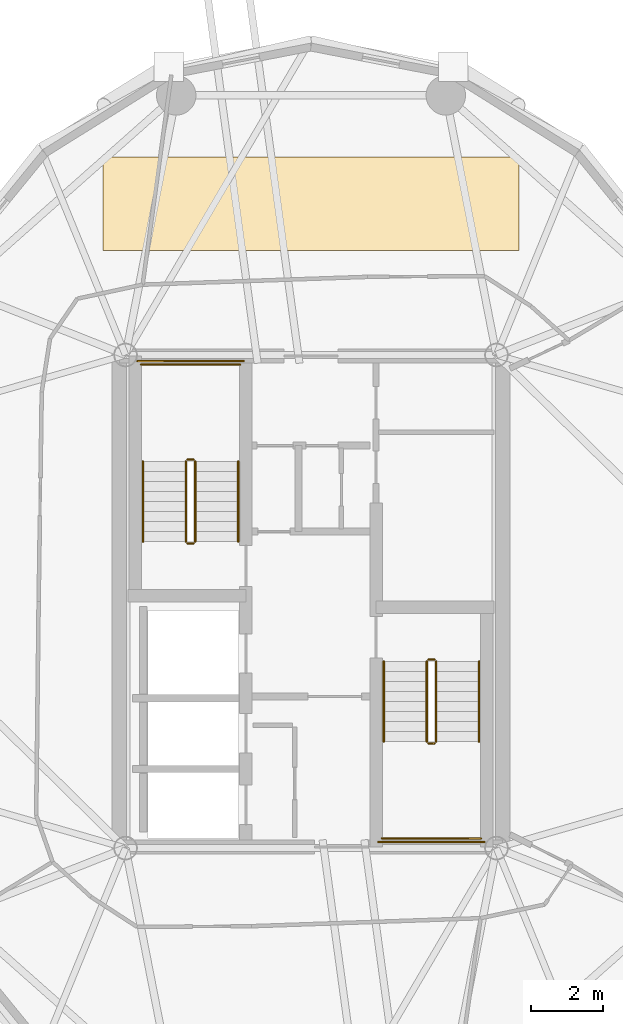
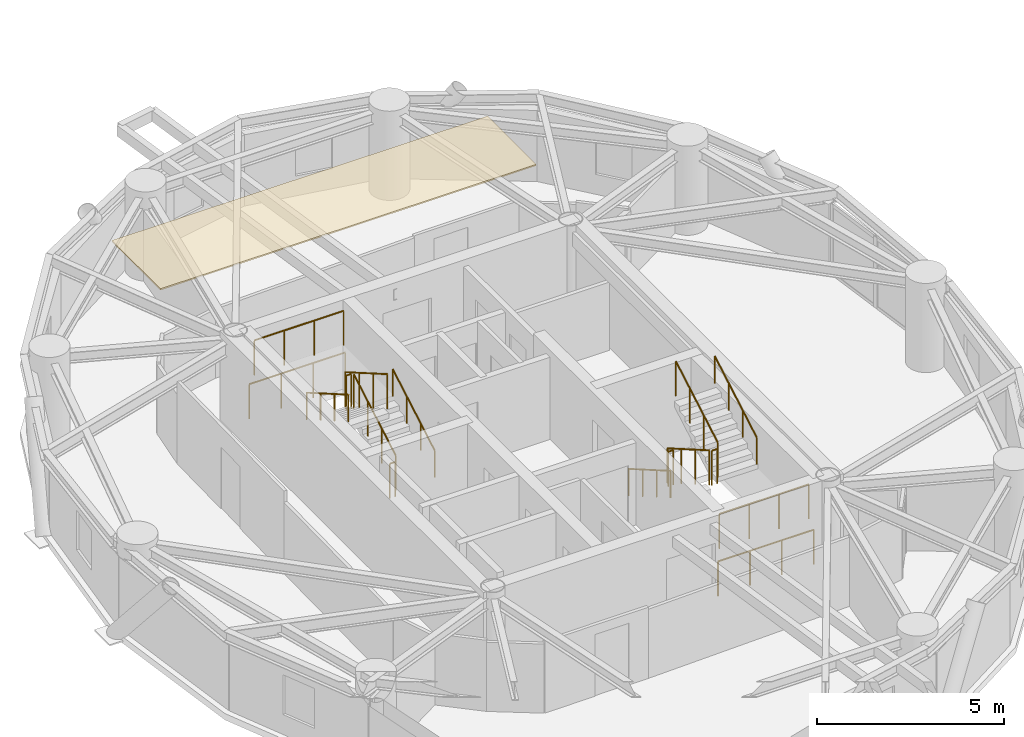
# One storey, part 13 of 14: 16 railings, 1 covering.
"""IFC4 building model written with IfcOpenShell, lengths in metres."""

from ifc_helpers import new_model, si_unit, direction, frame, origin, origin_2d, place, context, subcontext, project, spatial, polyline, circle, outline, extrude, material, layer, layer_set, type_object, element, save


model = new_model("IFC4")

# Units and contexts
model_context = context("Model", 3, precision=1e-05, world=origin(), true_north=direction((0.0, 1.0)))
body_context = subcontext(model_context, "Body", "Model", "MODEL_VIEW")
ifc_project = project(units=[si_unit("LENGTHUNIT", "METRE"), si_unit("AREAUNIT", "SQUARE_METRE"), si_unit("VOLUMEUNIT", "CUBIC_METRE"), si_unit("PLANEANGLEUNIT", "RADIAN"), si_unit("MASSUNIT", "GRAM", prefix="KILO")], contexts=[model_context])

# Site, building, storey
site_placement = place(None, origin())
site = spatial("IfcSite", under=ifc_project, at=site_placement, CompositionType="ELEMENT")
building_placement = place(site_placement, origin())
building = spatial("IfcBuilding", under=site, at=building_placement, Name="Cununo Teusaquillo Station Towers", CompositionType="ELEMENT")
storey_placement = place(building_placement, frame((0.0, 0.0, 202.47998046875)))
storey = spatial("IfcBuildingStorey", under=building, at=storey_placement, Name="L64", CompositionType="ELEMENT", Elevation=202.47998046875)

# Covering
ifc_material_1 = material(Name="Mineral-fibre acoustic suspended ceiling tile", Category="finish")
ifc_layer = layer(ifc_material_1, 0.044921875)
ifc_layer_set = layer_set([ifc_layer], Name="Mineral-fibre acoustic suspended ceiling tile")
covering_type = type_object("IfcCoveringType", Name="COV-CEIL-600", PredefinedType="CEILING", material=ifc_layer_set)
covering_placement = place(storey_placement, frame((0.0, 0.0, 2.655029296875)))
element("IfcCovering", 1, at=covering_placement, inside=storey, type_object=covering_type, Name="L64 Tower A Acoustic Ceiling", PredefinedType="CEILING", context=body_context, shape_type="SweptSolid", body=[
    extrude(outline(polyline([(22.300048828125, 36.89990234375), (22.300048828125, 34.300048828125), (10.699951171875, 34.300048828125), (10.699951171875, 36.89990234375), (22.300048828125, 36.89990234375)])), origin(), (0.0, 0.0, 1.0), 0.044921875),
])

# Railings
ifc_material_2 = material(Name="Steel EN 10025-2 S355J2", Category="steel")
railing_type_1 = type_object("IfcRailingType", Name="RL-INT-GUARD", PredefinedType="GUARDRAIL", material=ifc_material_2)
railing_1_placement = place(storey_placement, frame((13.27001953125, 26.169921875, 0.16162109375)))
element("IfcRailing", 2, at=railing_1_placement, inside=storey, type_object=railing_type_1, Name="L64 ST-T1-1 stair guard 1", PredefinedType="GUARDRAIL", context=body_context, shape_type="SweptSolid", body=[
    extrude(circle(Radius=0.02392578125, at=origin_2d()), frame((0.0, 0.0, 1.1259765625), z_axis=(0.0, 0.865992244559, 0.500057429065), x_axis=(-1.0, 0.0, 0.0)), (0.0, 0.0, 1.0), 2.586669921875),
    extrude(circle(Radius=0.02099609375, at=origin_2d()), origin(), (0.0, 0.0, 1.0), 1.101806640625),
    extrude(circle(Radius=0.02099609375, at=origin_2d()), frame((0.0, 0.74658203125, 0.43115234375)), (0.0, 0.0, 1.0), 1.101806640625),
    extrude(circle(Radius=0.02099609375, at=origin_2d()), frame((0.0, 1.493408203125, 0.8623046875)), (0.0, 0.0, 1.0), 1.101806640625),
    extrude(circle(Radius=0.02099609375, at=origin_2d()), frame((0.0, 2.239990234375, 1.29345703125)), (0.0, 0.0, 1.0), 1.101806640625),
])
railing_2_placement = place(storey_placement, frame((13.219970703125, 28.4599609375, 1.455078125)))
element("IfcRailing", 3, at=railing_2_placement, inside=storey, type_object=railing_type_1, Name="L64 ST-T1-1 stair guard 2", PredefinedType="GUARDRAIL", context=body_context, shape_type="SweptSolid", body=[
    extrude(circle(Radius=0.02392578125, at=origin_2d()), frame((0.0, 0.0, 1.1259765625), z_axis=(-1.0, 0.0, 0.0), x_axis=(0.0, -1.0, 0.0)), (0.0, 0.0, 1.0), 0.159912109375),
    extrude(circle(Radius=0.02099609375, at=origin_2d()), origin(), (0.0, 0.0, 1.0), 1.101806640625),
    extrude(circle(Radius=0.02099609375, at=origin_2d()), frame((-0.159912109375, 0.0, 0.0)), (0.0, 0.0, 1.0), 1.101806640625),
])
railing_3_placement = place(storey_placement, frame((14.52001953125, 31.110107421875, 1.455078125)))
element("IfcRailing", 4, at=railing_3_placement, inside=storey, type_object=railing_type_1, Name="L64 ST-T1-1 stair guard 3", PredefinedType="GUARDRAIL", context=body_context, shape_type="SweptSolid", body=[
    extrude(circle(Radius=0.02392578125, at=origin_2d()), frame((0.0, 0.0, 1.1259765625), z_axis=(-1.0, 0.0, 0.0), x_axis=(0.0, -1.0, 0.0)), (0.0, 0.0, 1.0), 2.760009765625),
    extrude(circle(Radius=0.02099609375, at=origin_2d()), origin(), (0.0, 0.0, 1.0), 1.101806640625),
    extrude(circle(Radius=0.02099609375, at=origin_2d()), frame((-0.919921875, 0.0, 0.0)), (0.0, 0.0, 1.0), 1.101806640625),
    extrude(circle(Radius=0.02099609375, at=origin_2d()), frame((-1.840087890625, 0.0, 0.0)), (0.0, 0.0, 1.0), 1.101806640625),
    extrude(circle(Radius=0.02099609375, at=origin_2d()), frame((-2.760009765625, 0.0, 0.0)), (0.0, 0.0, 1.0), 1.101806640625),
])
railing_4_placement = place(storey_placement, frame((13.010009765625, 28.409912109375, 1.61669921875)))
element("IfcRailing", 5, at=railing_4_placement, inside=storey, type_object=railing_type_1, Name="L64 ST-T1-1 stair guard 4", PredefinedType="GUARDRAIL", context=body_context, shape_type="SweptSolid", body=[
    extrude(circle(Radius=0.02392578125, at=origin_2d()), frame((0.0, 0.0, 1.1259765625), z_axis=(0.0, -0.866033117094, 0.499986639918), x_axis=(1.0, 0.0, 0.0)), (0.0, 0.0, 1.0), 2.58642578125),
    extrude(circle(Radius=0.02099609375, at=origin_2d()), origin(), (0.0, 0.0, 1.0), 1.101806640625),
    extrude(circle(Radius=0.02099609375, at=origin_2d()), frame((0.0, -0.74658203125, 0.43115234375)), (0.0, 0.0, 1.0), 1.101806640625),
    extrude(circle(Radius=0.02099609375, at=origin_2d()), frame((0.0, -1.493408203125, 0.862060546875)), (0.0, 0.0, 1.0), 1.101806640625),
    extrude(circle(Radius=0.02099609375, at=origin_2d()), frame((0.0, -2.239990234375, 1.293212890625)), (0.0, 0.0, 1.0), 1.101806640625),
])
railing_5_placement = place(storey_placement, frame((13.219970703125, 26.1201171875, 0.0)))
element("IfcRailing", 6, at=railing_5_placement, inside=storey, type_object=railing_type_1, Name="L64 ST-T1-1 stair guard 5", PredefinedType="GUARDRAIL", context=body_context, shape_type="SweptSolid", body=[
    extrude(circle(Radius=0.02392578125, at=origin_2d()), frame((0.0, 0.0, 1.1259765625), z_axis=(-1.0, 0.0, 0.0), x_axis=(0.0, -1.0, 0.0)), (0.0, 0.0, 1.0), 0.159912109375),
    extrude(circle(Radius=0.02099609375, at=origin_2d()), origin(), (0.0, 0.0, 1.0), 1.101806640625),
    extrude(circle(Radius=0.02099609375, at=origin_2d()), frame((-0.159912109375, 0.0, 0.0)), (0.0, 0.0, 1.0), 1.101806640625),
])
railing_6_placement = place(storey_placement, frame((14.6201171875, 31.2099609375, 0.0)))
element("IfcRailing", 7, at=railing_6_placement, inside=storey, type_object=railing_type_1, Name="L64 ST-T1-1 stair guard 6", PredefinedType="GUARDRAIL", context=body_context, shape_type="SweptSolid", body=[
    extrude(circle(Radius=0.02392578125, at=origin_2d()), frame((0.0, 0.0, 1.1259765625), z_axis=(-1.0, 0.0, 0.0), x_axis=(0.0, -1.0, 0.0)), (0.0, 0.0, 1.0), 2.960205078125),
    extrude(circle(Radius=0.02099609375, at=origin_2d()), origin(), (0.0, 0.0, 1.0), 1.101806640625),
    extrude(circle(Radius=0.02099609375, at=origin_2d()), frame((-0.98681640625, 0.0, 0.0)), (0.0, 0.0, 1.0), 1.101806640625),
    extrude(circle(Radius=0.02099609375, at=origin_2d()), frame((-1.973388671875, 0.0, 0.0)), (0.0, 0.0, 1.0), 1.101806640625),
    extrude(circle(Radius=0.02099609375, at=origin_2d()), frame((-2.960205078125, 0.0, 0.0)), (0.0, 0.0, 1.0), 1.101806640625),
])
railing_7_placement = place(storey_placement, frame((19.72998046875, 22.830078125, 0.16162109375)))
element("IfcRailing", 8, at=railing_7_placement, inside=storey, type_object=railing_type_1, Name="L64 ST-T1-2 stair guard 1", PredefinedType="GUARDRAIL", context=body_context, shape_type="SweptSolid", body=[
    extrude(circle(Radius=0.02392578125, at=origin_2d()), frame((0.0, 0.0, 1.1259765625), z_axis=(0.0, -0.865992244559, 0.500057429065), x_axis=(1.0, 0.0, 0.0)), (0.0, 0.0, 1.0), 2.586669921875),
    extrude(circle(Radius=0.02099609375, at=origin_2d()), origin(), (0.0, 0.0, 1.0), 1.101806640625),
    extrude(circle(Radius=0.02099609375, at=origin_2d()), frame((0.0, -0.74658203125, 0.43115234375)), (0.0, 0.0, 1.0), 1.101806640625),
    extrude(circle(Radius=0.02099609375, at=origin_2d()), frame((0.0, -1.493408203125, 0.8623046875)), (0.0, 0.0, 1.0), 1.101806640625),
    extrude(circle(Radius=0.02099609375, at=origin_2d()), frame((0.0, -2.239990234375, 1.29345703125)), (0.0, 0.0, 1.0), 1.101806640625),
])
railing_8_placement = place(storey_placement, frame((19.780029296875, 20.5400390625, 1.455078125)))
element("IfcRailing", 9, at=railing_8_placement, inside=storey, type_object=railing_type_1, Name="L64 ST-T1-2 stair guard 2", PredefinedType="GUARDRAIL", context=body_context, shape_type="SweptSolid", body=[
    extrude(circle(Radius=0.02392578125, at=origin_2d()), frame((0.0, 0.0, 1.1259765625), z_axis=(1.0, 0.0, 0.0), x_axis=(0.0, 1.0, 0.0)), (0.0, 0.0, 1.0), 0.159912109375),
    extrude(circle(Radius=0.02099609375, at=origin_2d()), origin(), (0.0, 0.0, 1.0), 1.101806640625),
    extrude(circle(Radius=0.02099609375, at=origin_2d()), frame((0.159912109375, 0.0, 0.0)), (0.0, 0.0, 1.0), 1.101806640625),
])
railing_9_placement = place(storey_placement, frame((18.47998046875, 17.889892578125, 1.455078125)))
element("IfcRailing", 10, at=railing_9_placement, inside=storey, type_object=railing_type_1, Name="L64 ST-T1-2 stair guard 3", PredefinedType="GUARDRAIL", context=body_context, shape_type="SweptSolid", body=[
    extrude(circle(Radius=0.02392578125, at=origin_2d()), frame((0.0, 0.0, 1.1259765625), z_axis=(1.0, 0.0, 0.0), x_axis=(0.0, 1.0, 0.0)), (0.0, 0.0, 1.0), 2.760009765625),
    extrude(circle(Radius=0.02099609375, at=origin_2d()), origin(), (0.0, 0.0, 1.0), 1.101806640625),
    extrude(circle(Radius=0.02099609375, at=origin_2d()), frame((0.919921875, 0.0, 0.0)), (0.0, 0.0, 1.0), 1.101806640625),
    extrude(circle(Radius=0.02099609375, at=origin_2d()), frame((1.840087890625, 0.0, 0.0)), (0.0, 0.0, 1.0), 1.101806640625),
    extrude(circle(Radius=0.02099609375, at=origin_2d()), frame((2.760009765625, 0.0, 0.0)), (0.0, 0.0, 1.0), 1.101806640625),
])
railing_10_placement = place(storey_placement, frame((19.989990234375, 20.590087890625, 1.61669921875)))
element("IfcRailing", 11, at=railing_10_placement, inside=storey, type_object=railing_type_1, Name="L64 ST-T1-2 stair guard 4", PredefinedType="GUARDRAIL", context=body_context, shape_type="SweptSolid", body=[
    extrude(circle(Radius=0.02392578125, at=origin_2d()), frame((0.0, 0.0, 1.1259765625), z_axis=(0.0, 0.866033117094, 0.499986639918), x_axis=(-1.0, 0.0, 0.0)), (0.0, 0.0, 1.0), 2.58642578125),
    extrude(circle(Radius=0.02099609375, at=origin_2d()), origin(), (0.0, 0.0, 1.0), 1.101806640625),
    extrude(circle(Radius=0.02099609375, at=origin_2d()), frame((0.0, 0.74658203125, 0.43115234375)), (0.0, 0.0, 1.0), 1.101806640625),
    extrude(circle(Radius=0.02099609375, at=origin_2d()), frame((0.0, 1.493408203125, 0.862060546875)), (0.0, 0.0, 1.0), 1.101806640625),
    extrude(circle(Radius=0.02099609375, at=origin_2d()), frame((0.0, 2.239990234375, 1.293212890625)), (0.0, 0.0, 1.0), 1.101806640625),
])
railing_11_placement = place(storey_placement, frame((19.780029296875, 22.8798828125, 0.0)))
element("IfcRailing", 12, at=railing_11_placement, inside=storey, type_object=railing_type_1, Name="L64 ST-T1-2 stair guard 5", PredefinedType="GUARDRAIL", context=body_context, shape_type="SweptSolid", body=[
    extrude(circle(Radius=0.02392578125, at=origin_2d()), frame((0.0, 0.0, 1.1259765625), z_axis=(1.0, 0.0, 0.0), x_axis=(0.0, 1.0, 0.0)), (0.0, 0.0, 1.0), 0.159912109375),
    extrude(circle(Radius=0.02099609375, at=origin_2d()), origin(), (0.0, 0.0, 1.0), 1.101806640625),
    extrude(circle(Radius=0.02099609375, at=origin_2d()), frame((0.159912109375, 0.0, 0.0)), (0.0, 0.0, 1.0), 1.101806640625),
])
railing_12_placement = place(storey_placement, frame((18.3798828125, 17.7900390625, 0.0)))
element("IfcRailing", 13, at=railing_12_placement, inside=storey, type_object=railing_type_1, Name="L64 ST-T1-2 stair guard 6", PredefinedType="GUARDRAIL", context=body_context, shape_type="SweptSolid", body=[
    extrude(circle(Radius=0.02392578125, at=origin_2d()), frame((0.0, 0.0, 1.1259765625), z_axis=(1.0, 0.0, 0.0), x_axis=(0.0, 1.0, 0.0)), (0.0, 0.0, 1.0), 2.960205078125),
    extrude(circle(Radius=0.02099609375, at=origin_2d()), origin(), (0.0, 0.0, 1.0), 1.101806640625),
    extrude(circle(Radius=0.02099609375, at=origin_2d()), frame((0.98681640625, 0.0, 0.0)), (0.0, 0.0, 1.0), 1.101806640625),
    extrude(circle(Radius=0.02099609375, at=origin_2d()), frame((1.973388671875, 0.0, 0.0)), (0.0, 0.0, 1.0), 1.101806640625),
    extrude(circle(Radius=0.02099609375, at=origin_2d()), frame((2.960205078125, 0.0, 0.0)), (0.0, 0.0, 1.0), 1.101806640625),
])
ifc_material_3 = material(Name="Steel EN 10025-2 S355J2", Category="steel")
railing_type_2 = type_object("IfcRailingType", Name="RL-INT-HRAIL", PredefinedType="HANDRAIL", material=ifc_material_3)
railing_13_placement = place(storey_placement, frame((14.469970703125, 26.169921875, 0.16162109375)))
element("IfcRailing", 14, at=railing_13_placement, inside=storey, type_object=railing_type_2, Name="L64 ST-T1-1 stair handrail 1", PredefinedType="HANDRAIL", context=body_context, shape_type="SweptSolid", body=[
    extrude(circle(Radius=0.02392578125, at=origin_2d()), frame((0.0, 0.0, 0.8759765625), z_axis=(0.0, 0.865992244559, 0.500057429065), x_axis=(-1.0, 0.0, 0.0)), (0.0, 0.0, 1.0), 2.586669921875),
    extrude(circle(Radius=0.02099609375, at=origin_2d()), origin(), (0.0, 0.0, 1.0), 0.851806640625),
    extrude(circle(Radius=0.02099609375, at=origin_2d()), frame((0.0, 0.74658203125, 0.43115234375)), (0.0, 0.0, 1.0), 0.851806640625),
    extrude(circle(Radius=0.02099609375, at=origin_2d()), frame((0.0, 1.493408203125, 0.8623046875)), (0.0, 0.0, 1.0), 0.851806640625),
    extrude(circle(Radius=0.02099609375, at=origin_2d()), frame((0.0, 2.239990234375, 1.29345703125)), (0.0, 0.0, 1.0), 0.851806640625),
])
railing_14_placement = place(storey_placement, frame((11.81005859375, 28.409912109375, 1.61669921875)))
element("IfcRailing", 15, at=railing_14_placement, inside=storey, type_object=railing_type_2, Name="L64 ST-T1-1 stair handrail 2", PredefinedType="HANDRAIL", context=body_context, shape_type="SweptSolid", body=[
    extrude(circle(Radius=0.02392578125, at=origin_2d()), frame((0.0, 0.0, 0.8759765625), z_axis=(0.0, -0.866033117094, 0.499986639918), x_axis=(1.0, 0.0, 0.0)), (0.0, 0.0, 1.0), 2.58642578125),
    extrude(circle(Radius=0.02099609375, at=origin_2d()), origin(), (0.0, 0.0, 1.0), 0.851806640625),
    extrude(circle(Radius=0.02099609375, at=origin_2d()), frame((0.0, -0.74658203125, 0.43115234375)), (0.0, 0.0, 1.0), 0.851806640625),
    extrude(circle(Radius=0.02099609375, at=origin_2d()), frame((0.0, -1.493408203125, 0.862060546875)), (0.0, 0.0, 1.0), 0.851806640625),
    extrude(circle(Radius=0.02099609375, at=origin_2d()), frame((0.0, -2.239990234375, 1.293212890625)), (0.0, 0.0, 1.0), 0.851806640625),
])
railing_15_placement = place(storey_placement, frame((18.530029296875, 22.830078125, 0.16162109375)))
element("IfcRailing", 16, at=railing_15_placement, inside=storey, type_object=railing_type_2, Name="L64 ST-T1-2 stair handrail 1", PredefinedType="HANDRAIL", context=body_context, shape_type="SweptSolid", body=[
    extrude(circle(Radius=0.02392578125, at=origin_2d()), frame((0.0, 0.0, 0.8759765625), z_axis=(0.0, -0.865992244559, 0.500057429065), x_axis=(1.0, 0.0, 0.0)), (0.0, 0.0, 1.0), 2.586669921875),
    extrude(circle(Radius=0.02099609375, at=origin_2d()), origin(), (0.0, 0.0, 1.0), 0.851806640625),
    extrude(circle(Radius=0.02099609375, at=origin_2d()), frame((0.0, -0.74658203125, 0.43115234375)), (0.0, 0.0, 1.0), 0.851806640625),
    extrude(circle(Radius=0.02099609375, at=origin_2d()), frame((0.0, -1.493408203125, 0.8623046875)), (0.0, 0.0, 1.0), 0.851806640625),
    extrude(circle(Radius=0.02099609375, at=origin_2d()), frame((0.0, -2.239990234375, 1.29345703125)), (0.0, 0.0, 1.0), 0.851806640625),
])
railing_16_placement = place(storey_placement, frame((21.18994140625, 20.590087890625, 1.61669921875)))
element("IfcRailing", 17, at=railing_16_placement, inside=storey, type_object=railing_type_2, Name="L64 ST-T1-2 stair handrail 2", PredefinedType="HANDRAIL", context=body_context, shape_type="SweptSolid", body=[
    extrude(circle(Radius=0.02392578125, at=origin_2d()), frame((0.0, 0.0, 0.8759765625), z_axis=(0.0, 0.866033117094, 0.499986639918), x_axis=(-1.0, 0.0, 0.0)), (0.0, 0.0, 1.0), 2.58642578125),
    extrude(circle(Radius=0.02099609375, at=origin_2d()), origin(), (0.0, 0.0, 1.0), 0.851806640625),
    extrude(circle(Radius=0.02099609375, at=origin_2d()), frame((0.0, 0.74658203125, 0.43115234375)), (0.0, 0.0, 1.0), 0.851806640625),
    extrude(circle(Radius=0.02099609375, at=origin_2d()), frame((0.0, 1.493408203125, 0.862060546875)), (0.0, 0.0, 1.0), 0.851806640625),
    extrude(circle(Radius=0.02099609375, at=origin_2d()), frame((0.0, 2.239990234375, 1.293212890625)), (0.0, 0.0, 1.0), 0.851806640625),
])

save(model, "model.ifc")
